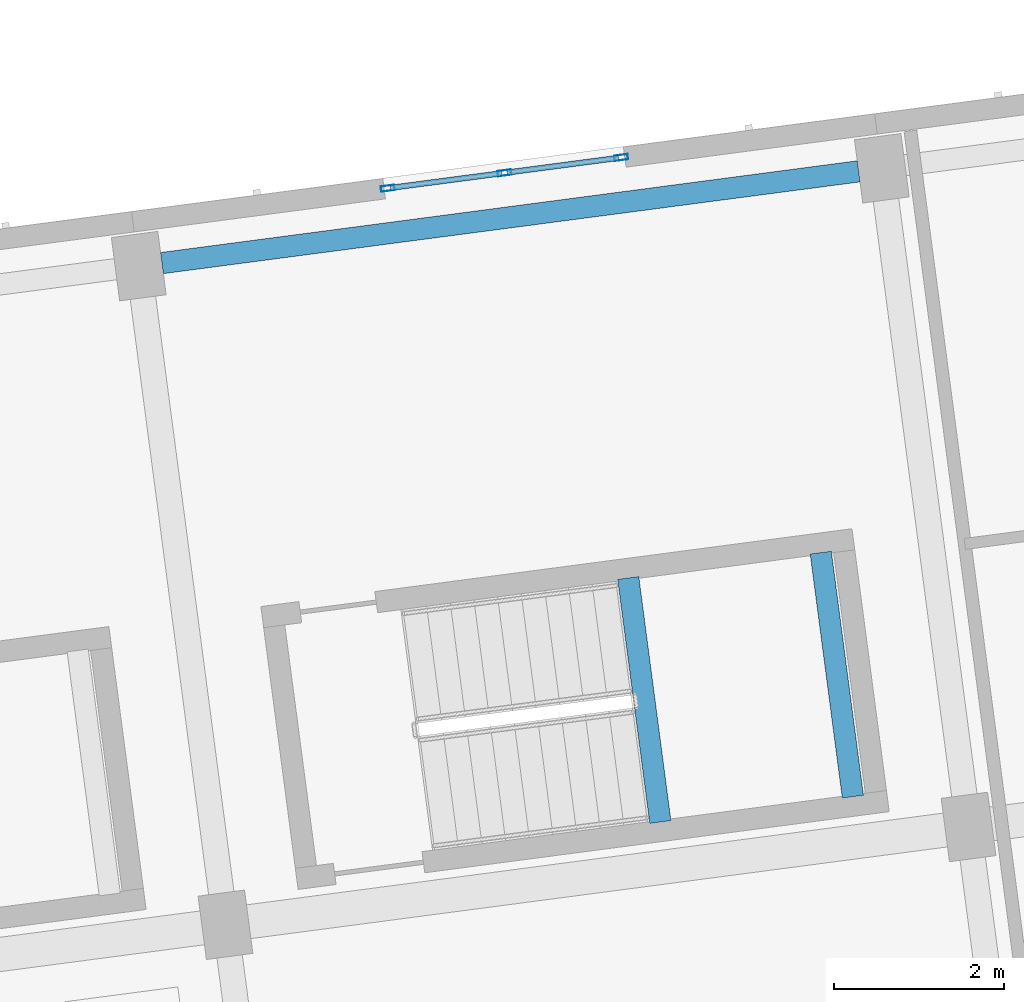
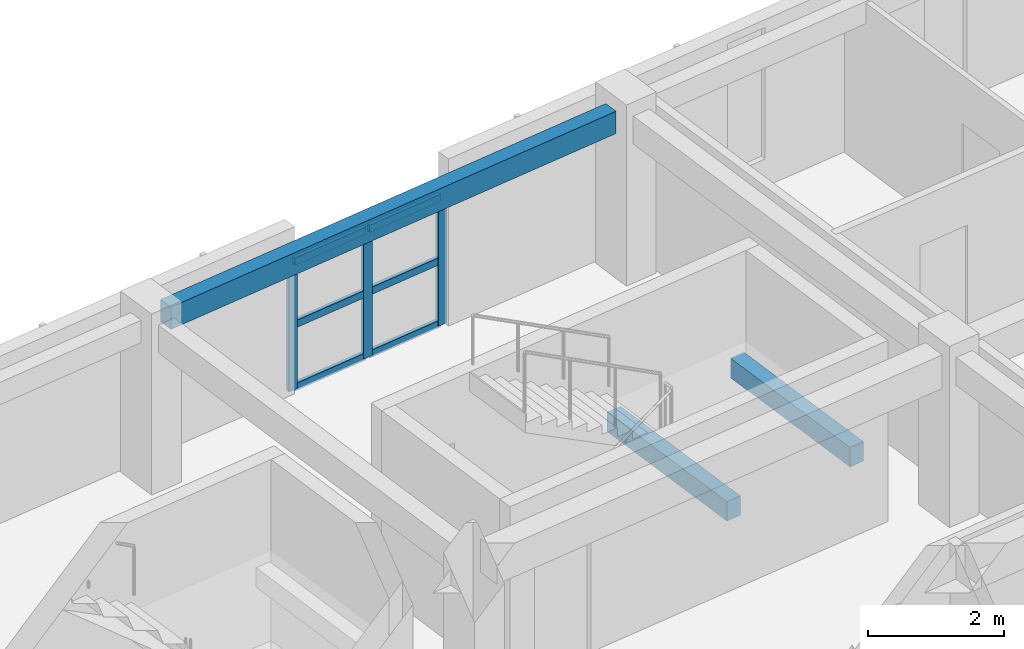
# One storey, part 35 of 127: 9 members, 3 beams, 1 element without a shape of its own.
"""IFC4 building model written with IfcOpenShell, lengths in metres."""

from ifc_helpers import new_model, si_unit, direction, frame, origin, origin_2d, place, context, subcontext, project, spatial, rectangle, hollow_rectangle, extrude, material, material_profile, profile_set, type_object, element, aggregate, save


model = new_model("IFC4")

# Units and contexts
model_context = context("Model", 3, precision=1e-05, world=origin(), true_north=direction((0.0, 1.0)))
body_context = subcontext(model_context, "Body", "Model", "MODEL_VIEW")
ifc_project = project(units=[si_unit("LENGTHUNIT", "METRE"), si_unit("AREAUNIT", "SQUARE_METRE"), si_unit("VOLUMEUNIT", "CUBIC_METRE"), si_unit("PLANEANGLEUNIT", "RADIAN"), si_unit("MASSUNIT", "GRAM", prefix="KILO")], contexts=[model_context])

# Site, building, storey
site_placement = place(None, origin())
site = spatial("IfcSite", under=ifc_project, at=site_placement, CompositionType="ELEMENT")
building_placement = place(site_placement, origin())
building = spatial("IfcBuilding", under=site, at=building_placement, Name="Kestramere Prow Commons", CompositionType="ELEMENT")
storey_placement = place(building_placement, frame((0.0, 0.0, 8.39990234375)))
storey = spatial("IfcBuildingStorey", under=building, at=storey_placement, Name="L02", CompositionType="ELEMENT", Elevation=8.39990234375)

# Beams
ifc_material_1 = material(Name="Concrete C40/50", Category="concrete")
ifc_material_profile_1 = material_profile(ifc_material_1, rectangle(XDim=0.25, YDim=0.35009765625, at=origin_2d()), Name="PC-BM 250x350")
ifc_profile_set_1 = profile_set([ifc_material_profile_1], Name="Concrete C40/50")
beam_type_1 = type_object("IfcBeamType", Name="BM-ST-TRIM", PredefinedType="BEAM", material=ifc_profile_set_1)
for number, where, z_axis, x_axis, name in (
    (1, (32.1630859375, 87.599609375, 1.25), (-0.130509140242, 0.99144710616, 0.0), (-0.99144710616, -0.130509140242, 0.0), "ST-A2 L02 Landing Trimmer Beam 1A"),
    (2, (34.423583984375, 87.897216796875, 1.25), (-0.130509140242, 0.99144710616, 0.0), (-0.99144710616, -0.130509140242, 0.0), "ST-A2 L02 Landing Trimmer Beam 1B"),
):
    element("IfcBeam", number, at=place(storey_placement, frame(where, z_axis=z_axis, x_axis=x_axis)), inside=storey, type_object=beam_type_1, Name=name, PredefinedType="BEAM", context=body_context, shape_type="SweptSolid", body=[
        extrude(rectangle(XDim=0.25, YDim=0.35009765625, at=origin_2d()), origin(), (0.0, 0.0, 1.0), 2.89013671875),
    ])

# Curtain wall, members
ifc_material_2 = material(Name="Anodised Aluminium and Low-E Glass", Category="aluminium")
curtain_wall_type = type_object("IfcCurtainWallType", Name="CW-03 Glazed Curtain Wall 2830x2320", PredefinedType="USERDEFINED", material=ifc_material_2)
curtain_wall_placement = place(storey_placement, origin())
curtain_wall = element("IfcCurtainWall", 3, at=curtain_wall_placement, inside=storey, type_object=curtain_wall_type, Name="Block A L02 Stairwell Vertical Glazing 3", ObjectType="GLAZED CURTAIN WALL", PredefinedType="USERDEFINED")
ifc_material_3 = material(Name="Anodised Aluminium 6063-T6", Category="aluminium")
ifc_material_profile_2 = material_profile(ifc_material_3, hollow_rectangle(XDim=0.06494140625, YDim=0.159912109375, WallThickness=0.00390625, at=origin_2d()), Name="ALU-MUL 65x160")
ifc_profile_set_2 = profile_set([ifc_material_profile_2], Name="Anodised Aluminium 6063-T6")
member_type_1 = type_object("IfcMemberType", Name="CW-MUL-65x160", PredefinedType="MULLION", material=ifc_profile_set_2)
member_1_placement = place(storey_placement, frame((28.962158203125, 95.04052734375, 0.0), z_axis=(0.0, 0.0, 1.0), x_axis=(-0.130526494555, 0.991444821571, 0.0)))
member_1 = element("IfcMember", 4, at=member_1_placement, type_object=member_type_1, Name="CW-03 mullion 1", PredefinedType="MULLION", context=body_context, shape_type="SweptSolid", body=[
    extrude(hollow_rectangle(XDim=0.06494140625, YDim=0.159912109375, WallThickness=0.00390625, at=origin_2d()), origin(), (0.0, 0.0, 1.0), 2.320068359375),
])
member_2_placement = place(storey_placement, frame((30.332763671875, 95.220947265625, 0.0), z_axis=(0.0, 0.0, 1.0), x_axis=(-0.130526494555, 0.991444821571, 0.0)))
member_2 = element("IfcMember", 5, at=member_2_placement, type_object=member_type_1, Name="CW-03 mullion 2", PredefinedType="MULLION", context=body_context, shape_type="SweptSolid", body=[
    extrude(hollow_rectangle(XDim=0.06494140625, YDim=0.159912109375, WallThickness=0.00390625, at=origin_2d()), origin(), (0.0, 0.0, 1.0), 2.320068359375),
])
member_3_placement = place(storey_placement, frame((31.703369140625, 95.4013671875, 0.0), z_axis=(0.0, 0.0, 1.0), x_axis=(-0.130526494555, 0.991444821571, 0.0)))
member_3 = element("IfcMember", 6, at=member_3_placement, type_object=member_type_1, Name="CW-03 mullion 3", PredefinedType="MULLION", context=body_context, shape_type="SweptSolid", body=[
    extrude(hollow_rectangle(XDim=0.06494140625, YDim=0.159912109375, WallThickness=0.00390625, at=origin_2d()), origin(), (0.0, 0.0, 1.0), 2.320068359375),
])
ifc_material_profile_3 = material_profile(ifc_material_3, hollow_rectangle(XDim=0.06494140625, YDim=0.1298828125, WallThickness=0.00390625, at=origin_2d()), Name="ALU-TRN 65x130")
ifc_profile_set_3 = profile_set([ifc_material_profile_3], Name="Anodised Aluminium 6063-T6")
member_type_2 = type_object("IfcMemberType", Name="CW-TRN-65x130", PredefinedType="USERDEFINED", material=ifc_profile_set_3)
member_4_placement = place(storey_placement, frame((28.994384765625, 95.044677734375, 0.03271484375), z_axis=(0.99142904707, 0.130646257605, 0.0), x_axis=(-0.130646257605, 0.99142904707, 0.0)))
member_4 = element("IfcMember", 7, at=member_4_placement, type_object=member_type_2, Name="CW-03 transom 1.1", ObjectType="TRANSOM", PredefinedType="USERDEFINED", context=body_context, shape_type="SweptSolid", body=[
    extrude(hollow_rectangle(XDim=0.06494140625, YDim=0.1298828125, WallThickness=0.00390625, at=origin_2d()), origin(), (0.0, 0.0, 1.0), 1.3173828125),
])
member_5_placement = place(storey_placement, frame((28.994384765625, 95.044677734375, 1.16015625), z_axis=(0.99142904707, 0.130646257605, 0.0), x_axis=(-0.130646257605, 0.99142904707, 0.0)))
member_5 = element("IfcMember", 8, at=member_5_placement, type_object=member_type_2, Name="CW-03 transom 1.2", ObjectType="TRANSOM", PredefinedType="USERDEFINED", context=body_context, shape_type="SweptSolid", body=[
    extrude(hollow_rectangle(XDim=0.06494140625, YDim=0.1298828125, WallThickness=0.00390625, at=origin_2d()), origin(), (0.0, 0.0, 1.0), 1.3173828125),
])
member_6_placement = place(storey_placement, frame((28.994384765625, 95.044677734375, 2.28759765625), z_axis=(0.99142904707, 0.130646257605, 0.0), x_axis=(-0.130646257605, 0.99142904707, 0.0)))
member_6 = element("IfcMember", 9, at=member_6_placement, type_object=member_type_2, Name="CW-03 transom 1.3", ObjectType="TRANSOM", PredefinedType="USERDEFINED", context=body_context, shape_type="SweptSolid", body=[
    extrude(hollow_rectangle(XDim=0.06494140625, YDim=0.1298828125, WallThickness=0.00390625, at=origin_2d()), origin(), (0.0, 0.0, 1.0), 1.3173828125),
])
member_7_placement = place(storey_placement, frame((30.364990234375, 95.225341796875, 0.03271484375), z_axis=(0.991453033969, 0.130464100171, 0.0), x_axis=(-0.130464100171, 0.991453033969, 0.0)))
member_7 = element("IfcMember", 10, at=member_7_placement, type_object=member_type_2, Name="CW-03 transom 2.1", ObjectType="TRANSOM", PredefinedType="USERDEFINED", context=body_context, shape_type="SweptSolid", body=[
    extrude(hollow_rectangle(XDim=0.06494140625, YDim=0.1298828125, WallThickness=0.00390625, at=origin_2d()), origin(), (0.0, 0.0, 1.0), 1.3173828125),
])
member_8_placement = place(storey_placement, frame((30.364990234375, 95.225341796875, 1.16015625), z_axis=(0.991453033969, 0.130464100171, 0.0), x_axis=(-0.130464100171, 0.991453033969, 0.0)))
member_8 = element("IfcMember", 11, at=member_8_placement, type_object=member_type_2, Name="CW-03 transom 2.2", ObjectType="TRANSOM", PredefinedType="USERDEFINED", context=body_context, shape_type="SweptSolid", body=[
    extrude(hollow_rectangle(XDim=0.06494140625, YDim=0.1298828125, WallThickness=0.00390625, at=origin_2d()), origin(), (0.0, 0.0, 1.0), 1.3173828125),
])
member_9_placement = place(storey_placement, frame((30.364990234375, 95.225341796875, 2.28759765625), z_axis=(0.991453033969, 0.130464100171, 0.0), x_axis=(-0.130464100171, 0.991453033969, 0.0)))
member_9 = element("IfcMember", 12, at=member_9_placement, type_object=member_type_2, Name="CW-03 transom 2.3", ObjectType="TRANSOM", PredefinedType="USERDEFINED", context=body_context, shape_type="SweptSolid", body=[
    extrude(hollow_rectangle(XDim=0.06494140625, YDim=0.1298828125, WallThickness=0.00390625, at=origin_2d()), origin(), (0.0, 0.0, 1.0), 1.3173828125),
])
aggregate(curtain_wall, [member_1, member_2, member_3, member_4, member_5, member_6, member_7, member_8, member_9])

# Beam
ifc_material_4 = material(Name="Precast concrete C40/50", Category="concrete")
ifc_material_profile_4 = material_profile(ifc_material_4, rectangle(XDim=0.25, YDim=0.39990234375, at=origin_2d()), Name="PC-SP 250x400")
ifc_profile_set_4 = profile_set([ifc_material_profile_4], Name="Precast concrete C40/50")
beam_type_2 = type_object("IfcBeamType", Name="SP-EXT-01 PC-SP 250x400", PredefinedType="SPANDREL", material=ifc_profile_set_4)
beam_placement = place(storey_placement, frame((26.3115234375, 94.162109375, 2.800048828125), z_axis=(0.991443917843, 0.130533358852, 0.0), x_axis=(-0.130533358852, 0.991443917843, 0.0)))
element("IfcBeam", 13, at=beam_placement, inside=storey, type_object=beam_type_2, Name="Block A L02 Longitudinal Beam 4-3", PredefinedType="SPANDREL", context=body_context, shape_type="SweptSolid", body=[
    extrude(rectangle(XDim=0.25, YDim=0.39990234375, at=origin_2d()), origin(), (0.0, 0.0, 1.0), 8.25),
])

save(model, "model.ifc")
